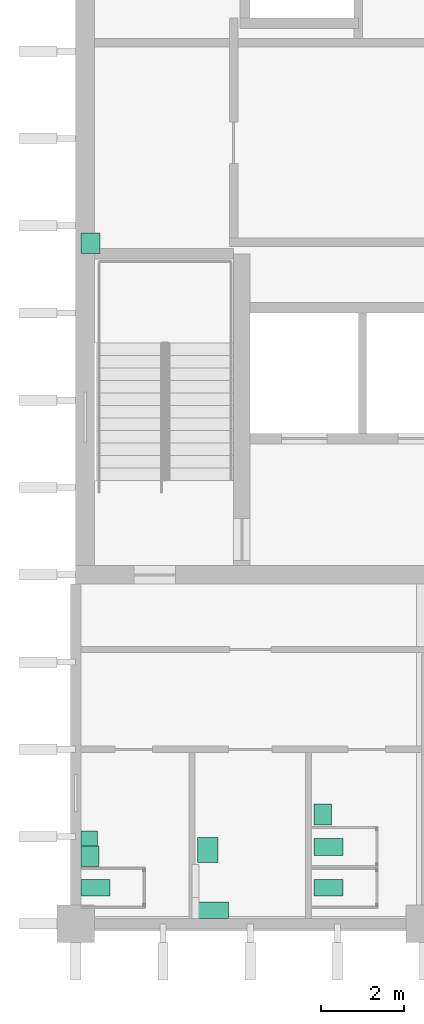
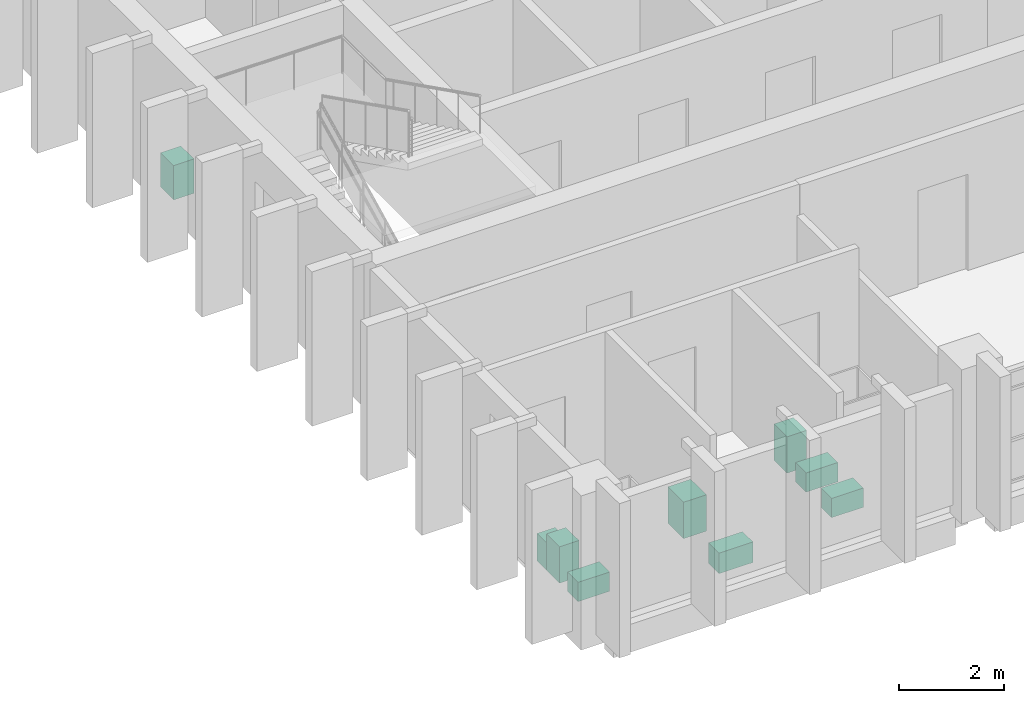
# One storey, part 11 of 11: 9 sanitary terminals.
"""IFC4 building model written with IfcOpenShell, lengths in metres."""

import ifcopenshell
import ifcopenshell.guid

model = None  # the IFC model being written
_history = None  # IfcOwnerHistory: only IFC2X3 demands one
_inside = {}  # id of a spatial element -> (the spatial element, [elements in it])
_under = {}  # id of a project, library or spatial element -> (it, [spatial elements below it])
_declared = {}  # id of a project -> (the project, [libraries it declares])
_typed = {}  # id of a type object -> (the type object, [elements of that type])
_made_of = {}  # id of a material, layer set ... -> (it, [elements and type objects made of it])


def new_model(schema):
    """Start an empty IFC model of exactly this schema.

    Asked for "IFC4X3", IfcOpenShell would pick the latest addendum, in which some entities
    have other attributes; the version numbers below select the first issue.
    IFC2X3 requires an IfcOwnerHistory on every rooted entity: one is made here for all.
    """
    global model, _history
    if schema == "IFC4X3":
        model = ifcopenshell.file(schema_version=(4, 3, 0, 0))
    else:
        model = ifcopenshell.file(schema=schema)
    _inside.clear()
    _under.clear()
    _declared.clear()
    _typed.clear()
    _made_of.clear()
    _history = None
    if model.schema == "IFC2X3":
        org = make("IfcOrganization", Name="unknown")
        user = make(
            "IfcPersonAndOrganization",
            ThePerson=make("IfcPerson", FamilyName="unknown"),
            TheOrganization=org,
        )
        app = make(
            "IfcApplication",
            ApplicationDeveloper=org,
            Version="unknown",
            ApplicationFullName="unknown",
            ApplicationIdentifier="unknown",
        )
        _history = make(
            "IfcOwnerHistory",
            OwningUser=user,
            OwningApplication=app,
            ChangeAction="ADDED",
            CreationDate=0,
        )
    return model


def make(cls, **values):
    """One entity of the class cls with the attributes given. An attribute that is None is left unset."""
    return model.create_entity(
        cls, **{name: value for name, value in values.items() if value is not None}
    )


def rooted(cls, **values):
    """An entity with a GlobalId (a new one), such as an element, a storey or a relation."""
    return make(cls, GlobalId=ifcopenshell.guid.new(), OwnerHistory=_history, **values)


def si_unit(unit_type, name, prefix=None):
    """IfcSIUnit, for example si_unit("LENGTHUNIT", "METRE", prefix="MILLI")."""
    return make("IfcSIUnit", UnitType=unit_type, Prefix=prefix, Name=name)


def assignment(units):
    """IfcUnitAssignment: the units of a project."""
    return None if units is None else make("IfcUnitAssignment", Units=units)


def point(xyz):
    """IfcCartesianPoint."""
    return None if xyz is None else make("IfcCartesianPoint", Coordinates=xyz)


def direction(xyz):
    """IfcDirection."""
    return None if xyz is None else make("IfcDirection", DirectionRatios=xyz)


def frame(location, z_axis=None, x_axis=None):
    """IfcAxis2Placement3D, a coordinate frame: its origin and axes. An axis left out is left unset."""
    return make(
        "IfcAxis2Placement3D",
        Location=point(location),
        Axis=direction(z_axis),
        RefDirection=direction(x_axis),
    )


def frame_2d(location, x_axis=None):
    """IfcAxis2Placement2D, a coordinate frame in the plane: its origin and x axis."""
    return make(
        "IfcAxis2Placement2D", Location=point(location), RefDirection=direction(x_axis)
    )


def origin():
    """The frame at (0, 0, 0) with its axes left unset."""
    return frame((0.0, 0.0, 0.0))


def origin_2d():
    """The frame at (0, 0) in the plane with its x axis left unset."""
    return frame_2d((0.0, 0.0))


def place(relative_to, where):
    """IfcLocalPlacement: puts the frame where relative to a parent placement (None: the world)."""
    return make(
        "IfcLocalPlacement", PlacementRelTo=relative_to, RelativePlacement=where
    )


def context(
    kind, dimensions, precision=None, world=None, true_north=None, identifier=None
):
    """IfcGeometricRepresentationContext, for example the 3D "Model" context."""
    return make(
        "IfcGeometricRepresentationContext",
        ContextIdentifier=identifier,
        ContextType=kind,
        CoordinateSpaceDimension=dimensions,
        Precision=precision,
        WorldCoordinateSystem=world,
        TrueNorth=true_north,
    )


def subcontext(parent, identifier, kind, view, scale=None):
    """IfcGeometricRepresentationSubContext, for example "Body" below "Model"."""
    return make(
        "IfcGeometricRepresentationSubContext",
        ContextIdentifier=identifier,
        ContextType=kind,
        ParentContext=parent,
        TargetScale=scale,
        TargetView=view,
    )


def project(units=None, contexts=None):
    """IfcProject with its units and contexts."""
    return rooted(
        "IfcProject",
        Name="project",
        RepresentationContexts=contexts,
        UnitsInContext=assignment(units),
    )


def spatial(cls, under=None, at=None, **own):
    """A site, building, storey or space (cls), placed at a placement, below another one or the project."""
    s = rooted(cls, ObjectPlacement=at, **own)
    if under is not None:
        _under.setdefault(under.id(), (under, []))[1].append(s)
    return s


def profile(cls, at=None, kind="AREA", **sizes):
    """A parametric profile (cls). Its sizes go by their IFC names, for example OverallWidth=200.0."""
    return make(cls, ProfileType=kind, Position=at, **sizes)


def rectangle(**sizes):
    """IfcRectangleProfileDef."""
    return profile("IfcRectangleProfileDef", **sizes)


def extrude(swept, where, along, depth):
    """IfcExtrudedAreaSolid: the profile swept, set in the frame where, extruded along a direction by depth."""
    return make(
        "IfcExtrudedAreaSolid",
        SweptArea=swept,
        Position=where,
        ExtrudedDirection=direction(along),
        Depth=depth,
    )


def shape(context_of_items, identifier, shape_type, items):
    """IfcShapeRepresentation: the items that make up one representation, for example the "Body"."""
    return make(
        "IfcShapeRepresentation",
        ContextOfItems=context_of_items,
        RepresentationIdentifier=identifier,
        RepresentationType=shape_type,
        Items=items,
    )


def material(Name=None, Category=None):
    """IfcMaterial."""
    return make("IfcMaterial", Name=Name, Category=Category)


def made_of(thing, what):
    """Note that an element or type object is made of a material, layer set ...; save() writes the relation."""
    if what is not None:
        _made_of.setdefault(what.id(), (what, []))[1].append(thing)
    return thing


def type_object(cls, material=None, **own):
    """A type object (cls), such as IfcWallType, which elements share."""
    return made_of(rooted(cls, **own), material)


def element(
    cls,
    number,
    at=None,
    inside=None,
    cuts=None,
    type_object=None,
    material=None,
    context=None,
    identifier="Body",
    shape_type=None,
    held_by="IfcProductDefinitionShape",
    body=None,
    shapes=None,
    **own,
):
    """One element of the class cls, such as IfcWall. Its Tag is "e" and its number.

    at: its placement. inside: the storey or other place that contains it. cuts: it is an
    opening in that element (IfcRelVoidsElement). A single representation is given by context,
    identifier, shape_type and body (its items); several are given by shapes. held_by: the class
    of the entity that holds the representations. save() writes the other relations.
    """
    e = rooted(cls, Tag="e%d" % number, ObjectPlacement=at, **own)
    if body is not None:
        shapes = [shape(context, identifier, shape_type, body)]
    if shapes is not None:
        e.Representation = make(held_by, Representations=shapes)
    if inside is not None:
        _inside.setdefault(inside.id(), (inside, []))[1].append(e)
    if cuts is not None:
        rooted(
            "IfcRelVoidsElement", RelatingBuildingElement=cuts, RelatedOpeningElement=e
        )
    if type_object is not None:
        _typed.setdefault(type_object.id(), (type_object, []))[1].append(e)
    return made_of(e, material)


def aggregate(whole, parts):
    """IfcRelAggregates: a whole, such as a stair, and the parts it consists of."""
    return rooted("IfcRelAggregates", RelatingObject=whole, RelatedObjects=parts)


def save(model, path):
    """Write the relations noted so far, then the file.

    IfcRelAggregates (storeys below a building ...), IfcRelContainedInSpatialStructure (elements
    in a storey), IfcRelDefinesByType, IfcRelAssociatesMaterial and IfcRelDeclares: one each for
    every whole, place, type object, material and project.
    """
    for whole, parts in _under.values():
        aggregate(whole, parts)
    for where, things in _inside.values():
        rooted(
            "IfcRelContainedInSpatialStructure",
            RelatedElements=things,
            RelatingStructure=where,
        )
    for kind, things in _typed.values():
        rooted("IfcRelDefinesByType", RelatedObjects=things, RelatingType=kind)
    for what, things in _made_of.values():
        rooted("IfcRelAssociatesMaterial", RelatedObjects=things, RelatingMaterial=what)
    for by, libraries in _declared.values():
        rooted("IfcRelDeclares", RelatingContext=by, RelatedDefinitions=libraries)
    model.write(path)


model = new_model("IFC4")

# Units and contexts
model_context = context("Model", 3, precision=1e-05, world=origin(), true_north=direction((0.0, 1.0)))
body_context = subcontext(model_context, "Body", "Model", "MODEL_VIEW")
ifc_project = project(units=[si_unit("LENGTHUNIT", "METRE"), si_unit("AREAUNIT", "SQUARE_METRE"), si_unit("VOLUMEUNIT", "CUBIC_METRE"), si_unit("PLANEANGLEUNIT", "RADIAN"), si_unit("MASSUNIT", "GRAM", prefix="KILO")], contexts=[model_context])

# Site, building, storey
site_placement = place(None, origin())
site = spatial("IfcSite", under=ifc_project, at=site_placement, CompositionType="ELEMENT")
building_placement = place(site_placement, origin())
building = spatial("IfcBuilding", under=site, at=building_placement, Name="Rulbaag Community and Learning Centre", CompositionType="ELEMENT")
storey_placement = place(building_placement, frame((0.0, 0.0, 32.39990234375)))
storey = spatial("IfcBuildingStorey", under=building, at=storey_placement, Name="L08", CompositionType="ELEMENT", Elevation=32.39990234375)

# Sanitary terminals
ifc_material_1 = material(Name="Vitreous china", Category="ceramic")
sanitary_terminal_type_1 = type_object("IfcSanitaryTerminalType", Name="BS-500", PredefinedType="WASHHANDBASIN", material=ifc_material_1)
for number, where, z_axis, x_axis, name in (
    (1, (143.14501953125, 85.6298828125, 0.0), (0.0, 0.0, 1.0), (1.0, 0.0, 0.0), "Basin 87"),
    (2, (148.7451171875, 86.6298828125, 0.0), (0.0, 0.0, 1.0), (1.0, 0.0, 0.0), "Basin 88"),
):
    element("IfcSanitaryTerminal", number, at=place(storey_placement, frame(where, z_axis=z_axis, x_axis=x_axis)), inside=storey, type_object=sanitary_terminal_type_1, Name=name, PredefinedType="WASHHANDBASIN", context=body_context, shape_type="SweptSolid", body=[
        extrude(rectangle(XDim=0.429931640625, YDim=0.5, at=origin_2d()), origin(), (0.0, 0.0, 1.0), 0.85009765625),
    ])
sanitary_terminal_type_2 = type_object("IfcSanitaryTerminalType", Name="BS-AC-600", PredefinedType="WASHHANDBASIN", material=ifc_material_1)
sanitary_terminal_1_placement = place(storey_placement, frame((145.97998046875, 85.780029296875, 0.0), z_axis=(0.0, 0.0, 1.0), x_axis=(1.0, 0.0, 0.0)))
element("IfcSanitaryTerminal", 3, at=sanitary_terminal_1_placement, inside=storey, type_object=sanitary_terminal_type_2, Name="Basin 89", PredefinedType="WASHHANDBASIN", context=body_context, shape_type="SweptSolid", body=[
    extrude(rectangle(XDim=0.5, YDim=0.60009765625, at=origin_2d()), origin(), (0.0, 0.0, 1.0), 0.85009765625),
])
ifc_material_2 = material(Name="Stainless steel", Category="steel")
sanitary_terminal_type_3 = type_object("IfcSanitaryTerminalType", Name="SK-CL-500", PredefinedType="SINK", material=ifc_material_2)
sanitary_terminal_2_placement = place(storey_placement, frame((143.155029296875, 100.3798828125, 0.0), z_axis=(0.0, 0.0, 1.0), x_axis=(1.0, 0.0, 0.0)))
element("IfcSanitaryTerminal", 4, at=sanitary_terminal_2_placement, inside=storey, type_object=sanitary_terminal_type_3, Name="Sink 17", PredefinedType="SINK", context=body_context, shape_type="SweptSolid", body=[
    extrude(rectangle(XDim=0.449951171875, YDim=0.5, at=origin_2d()), origin(), (0.0, 0.0, 1.0), 0.800048828125),
])
sanitary_terminal_type_4 = type_object("IfcSanitaryTerminalType", Name="UR-350", PredefinedType="URINAL", material=ifc_material_1)
sanitary_terminal_3_placement = place(storey_placement, frame((143.1298828125, 86.054931640625, 0.000244140625), z_axis=(0.0, 0.0, 1.0), x_axis=(1.0, 0.0, 0.0)))
element("IfcSanitaryTerminal", 5, at=sanitary_terminal_3_placement, inside=storey, type_object=sanitary_terminal_type_4, Name="Urinal 158", PredefinedType="URINAL", context=body_context, shape_type="SweptSolid", body=[
    extrude(rectangle(XDim=0.39990234375, YDim=0.35009765625, at=origin_2d()), origin(), (0.0, 0.0, 1.0), 0.64990234375),
])
sanitary_terminal_type_5 = type_object("IfcSanitaryTerminalType", Name="WC-400", PredefinedType="TOILETPAN", material=ifc_material_1)
for number, where, z_axis, x_axis, name in (
    (6, (143.280029296875, 84.8701171875, 0.0), (0.0, 0.0, 1.0), (1.0, 0.0, 0.0), "WC 146"),
    (7, (148.8798828125, 84.8701171875, 0.0), (0.0, 0.0, 1.0), (1.0, 0.0, 0.0), "WC 147"),
    (8, (148.8798828125, 85.85009765625, 0.0), (0.0, 0.0, 1.0), (1.0, 0.0, 0.0), "WC 148"),
):
    element("IfcSanitaryTerminal", number, at=place(storey_placement, frame(where, z_axis=z_axis, x_axis=x_axis)), inside=storey, type_object=sanitary_terminal_type_5, Name=name, PredefinedType="TOILETPAN", context=body_context, shape_type="SweptSolid", body=[
        extrude(rectangle(XDim=0.699951171875, YDim=0.39990234375, at=origin_2d()), origin(), (0.0, 0.0, 1.0), 0.449951171875),
    ])
sanitary_terminal_type_6 = type_object("IfcSanitaryTerminalType", Name="WC-AC-480", PredefinedType="TOILETPAN", material=ifc_material_1)
sanitary_terminal_4_placement = place(storey_placement, frame((146.10498046875, 84.330078125, 0.0), z_axis=(0.0, 0.0, 1.0), x_axis=(1.0, 0.0, 0.0)))
element("IfcSanitaryTerminal", 9, at=sanitary_terminal_4_placement, inside=storey, type_object=sanitary_terminal_type_6, Name="WC 149", PredefinedType="TOILETPAN", context=body_context, shape_type="SweptSolid", body=[
    extrude(rectangle(XDim=0.75, YDim=0.39990234375, at=origin_2d()), origin(), (0.0, 0.0, 1.0), 0.47998046875),
])

save(model, "model.ifc")
